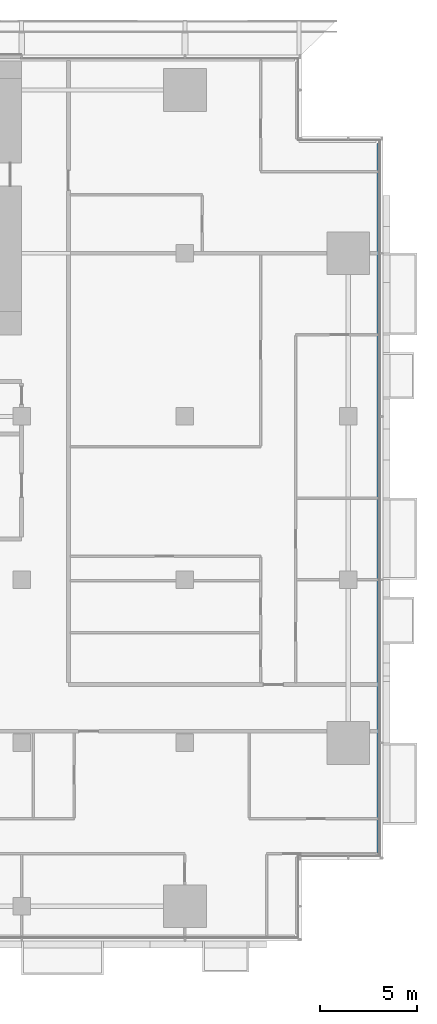
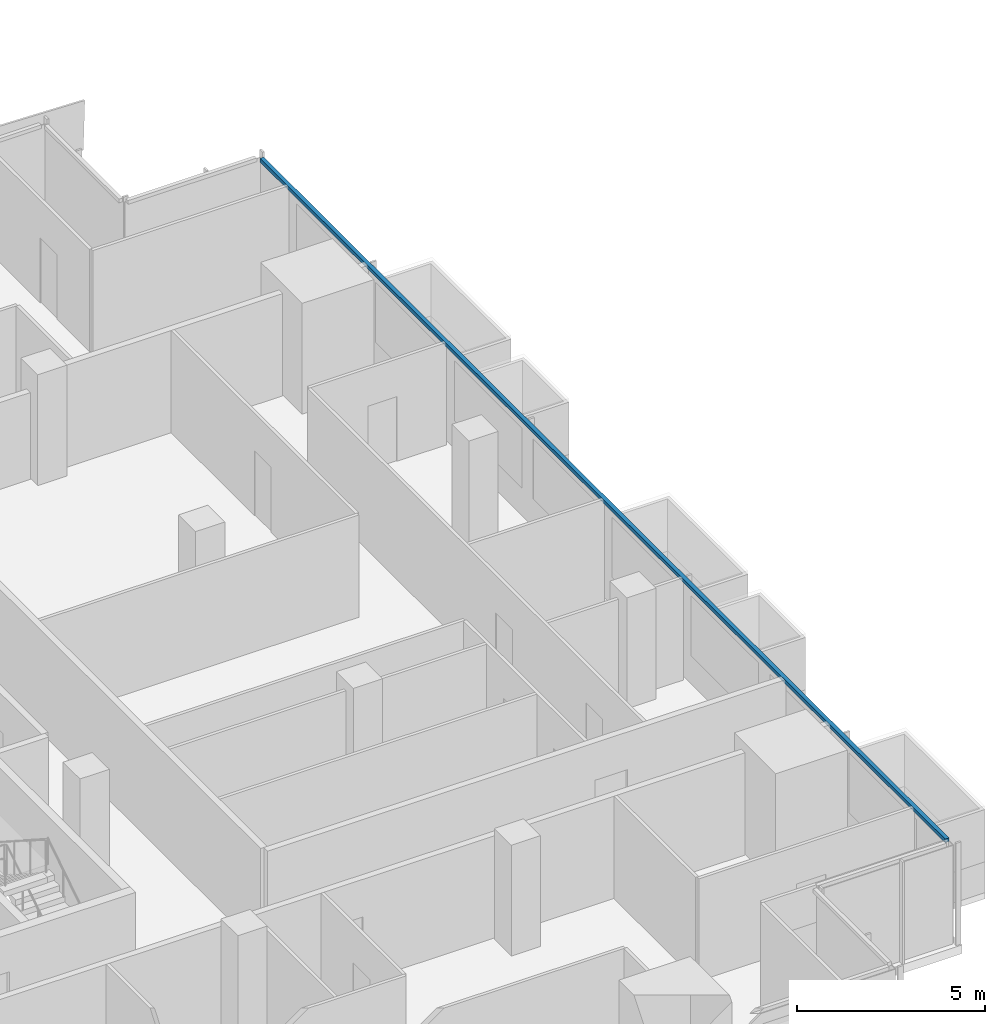
# One storey, part 12 of 30: 1 member, 1 element without a shape of its own.
"""IFC4 building model written with IfcOpenShell, lengths in metres."""

from ifc_helpers import new_model, si_unit, direction, frame, origin, origin_2d, place, context, subcontext, project, spatial, rectangle, extrude, material, material_profile, profile_set, type_object, element, aggregate, save


model = new_model("IFC4")

# Units and contexts
model_context = context("Model", 3, precision=1e-05, world=origin(), true_north=direction((0.0, 1.0)))
body_context = subcontext(model_context, "Body", "Model", "MODEL_VIEW")
ifc_project = project(units=[si_unit("LENGTHUNIT", "METRE"), si_unit("AREAUNIT", "SQUARE_METRE"), si_unit("VOLUMEUNIT", "CUBIC_METRE"), si_unit("PLANEANGLEUNIT", "RADIAN"), si_unit("MASSUNIT", "GRAM", prefix="KILO")], contexts=[model_context])

# Site, building, storey
site_placement = place(None, origin())
site = spatial("IfcSite", under=ifc_project, at=site_placement, CompositionType="ELEMENT")
building_placement = place(site_placement, origin())
building = spatial("IfcBuilding", under=site, at=building_placement, Name="Saffron Gate Tower", CompositionType="ELEMENT")
storey_placement = place(building_placement, frame((0.0, 0.0, 37.199951171875)))
storey = spatial("IfcBuildingStorey", under=building, at=storey_placement, Name="L07", CompositionType="ELEMENT", Elevation=37.199951171875)

# Curtain wall, member
ifc_material = material(Name="Aluminium, bronze anodised", Category="aluminium")
curtain_wall_type = type_object("IfcCurtainWallType", Name="CWS2 curtain wall side facades", PredefinedType="NOTDEFINED", material=ifc_material)
curtain_wall_placement = place(storey_placement, origin())
curtain_wall = element("IfcCurtainWall", 1, at=curtain_wall_placement, inside=storey, type_object=curtain_wall_type, Name="CWS2 run 4", PredefinedType="NOTDEFINED")
ifc_material_profile = material_profile(ifc_material, rectangle(XDim=0.1201171875, YDim=0.1201171875, at=origin_2d()))
ifc_profile_set = profile_set([ifc_material_profile], Name="Aluminium, bronze anodised")
member_type = type_object("IfcMemberType", Name="CWS2 head transom", PredefinedType="USERDEFINED", material=ifc_profile_set)
member_placement = place(storey_placement, frame((126.951904296875, 34.568115234375, 3.260009765625), z_axis=(0.0, 1.0, 0.0), x_axis=(-1.0, 0.0, 0.0)))
member = element("IfcMember", 2, at=member_placement, type_object=member_type, Name="CWS2 head transom", ObjectType="TRANSOM", PredefinedType="USERDEFINED", context=body_context, shape_type="SweptSolid", body=[
    extrude(rectangle(XDim=0.1201171875, YDim=0.1201171875, at=origin_2d()), origin(), (0.0, 0.0, 1.0), 36.4638671875),
])
aggregate(curtain_wall, [member])

save(model, "model.ifc")
